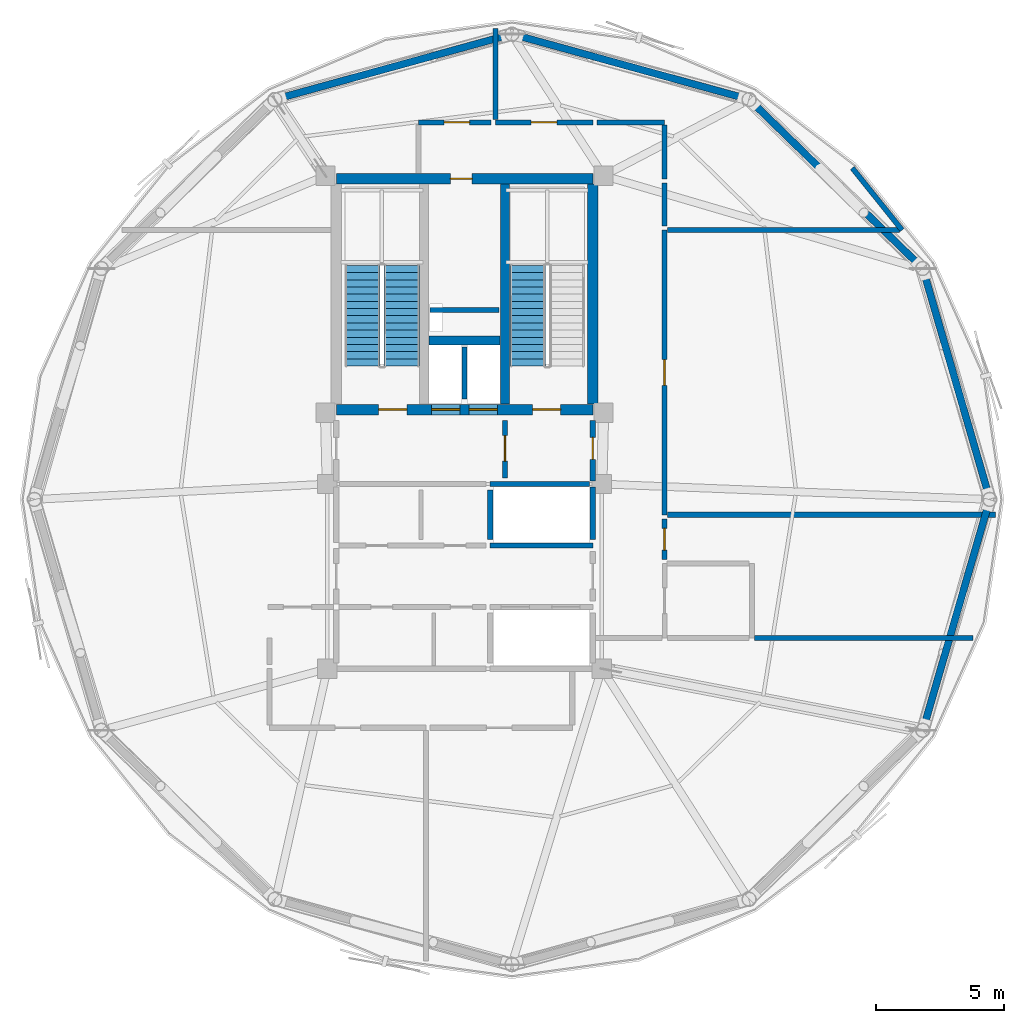
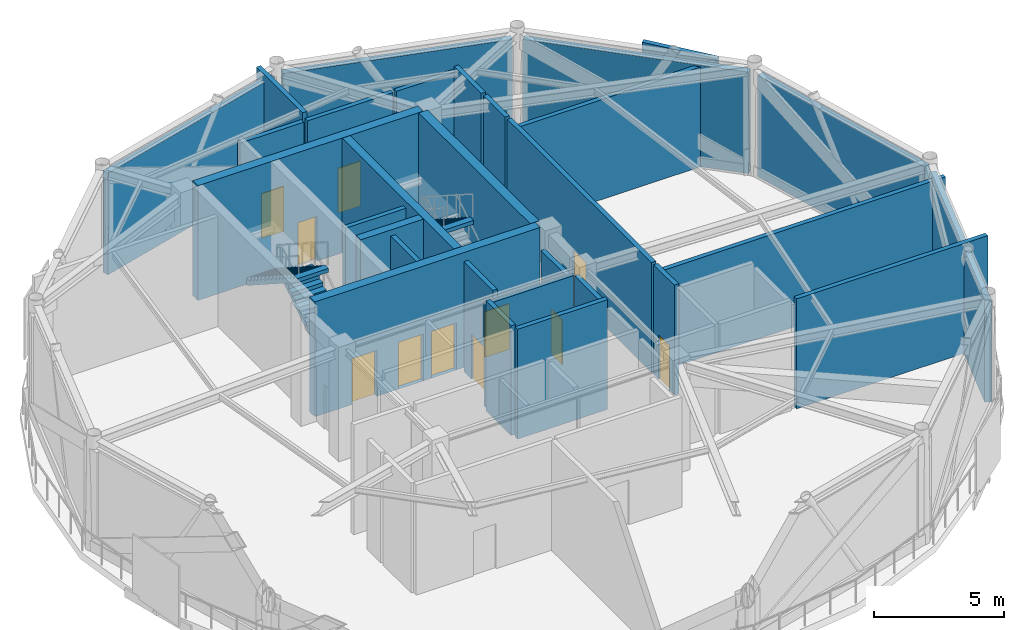
# One storey, part 4 of 10: 30 walls, 11 doors, 3 stair flights, 11 openings, 2 elements without a shape of their own.
"""IFC4 building model written with IfcOpenShell, lengths in metres."""

from ifc_helpers import new_model, si_unit, direction, frame, frame_2d, origin, place, context, subcontext, project, spatial, polyline, rectangle, outline, extrude, material, layer, layer_set, type_object, element, fill, aggregate, save


model = new_model("IFC4")

# Units and contexts
model_context = context("Model", 3, precision=1e-05, world=origin(), true_north=direction((0.0, 1.0)))
body_context = subcontext(model_context, "Body", "Model", "MODEL_VIEW")
ifc_project = project(units=[si_unit("LENGTHUNIT", "METRE"), si_unit("AREAUNIT", "SQUARE_METRE"), si_unit("VOLUMEUNIT", "CUBIC_METRE"), si_unit("PLANEANGLEUNIT", "RADIAN"), si_unit("MASSUNIT", "GRAM", prefix="KILO")], contexts=[model_context])

# Site, building, storey
site_placement = place(None, origin())
site = spatial("IfcSite", under=ifc_project, at=site_placement, CompositionType="ELEMENT")
building_placement = place(site_placement, origin())
building = spatial("IfcBuilding", under=site, at=building_placement, Name="Varnakorn Sky Granary", CompositionType="ELEMENT")
storey_placement = place(building_placement, frame((0.0, 0.0, 240.0)))
storey = spatial("IfcBuildingStorey", under=building, at=storey_placement, Name="L61", CompositionType="ELEMENT", Elevation=240.0)

# Walls
ifc_material_1 = material(Name="Concrete C50/60", Category="concrete")
ifc_layer_1 = layer(ifc_material_1, 0.35009765625, Name="Concrete C50/60")
ifc_layer_set_1 = layer_set([ifc_layer_1], Name="Concrete C50/60")
wall_type_1 = type_object("IfcWallType", Name="WT-CW-INT-350", PredefinedType="SHEAR", material=ifc_layer_set_1)
wall_1_placement = place(storey_placement, frame((4.580078125, 3.7099609375, 0.0), z_axis=(0.0, 0.0, 1.0), x_axis=(0.0, 1.0, 0.0)))
element("IfcWall", 1, at=wall_1_placement, inside=storey, type_object=wall_type_1, Name="Stair ST-2 Core Wall L61", PredefinedType="SHEAR", context=body_context, shape_type="SweptSolid", body=[
    extrude(rectangle(XDim=8.580078125, YDim=0.35009765625, at=frame_2d((4.2900390625, 0.0))), origin(), (0.0, 0.0, 1.0), 5.39208984375),
])
wall_2_placement = place(storey_placement, frame((1.610107421875, 6.199951171875, 0.0), z_axis=(0.0, 0.0, 1.0), x_axis=(1.0, 0.0, 0.0)))
element("IfcWall", 2, at=wall_2_placement, inside=storey, type_object=wall_type_1, Name="Core Lift Shaft Cross Wall L61", PredefinedType="SHEAR", context=body_context, shape_type="SweptSolid", body=[
    extrude(rectangle(XDim=2.77978515625, YDim=0.35009765625, at=frame_2d((1.389892578125, 0.0))), origin(), (0.0, 0.0, 1.0), 5.39208984375),
])

# Wall, openings, doors
ifc_layer_2 = layer(ifc_material_1, 0.39990234375, Name="Concrete C50/60")
ifc_layer_set_2 = layer_set([ifc_layer_2], Name="Concrete C50/60")
wall_type_2 = type_object("IfcWallType", Name="WT-CW-SHEAR-400", PredefinedType="SHEAR", material=ifc_layer_set_2)
wall_3_placement = place(storey_placement, frame((-2.0, 3.5, 0.0), z_axis=(0.0, 0.0, 1.0), x_axis=(1.0, 0.0, 0.0)))
wall_3 = element("IfcWall", 3, at=wall_3_placement, inside=storey, type_object=wall_type_2, Name="Core South Shear Wall L61", PredefinedType="SHEAR", context=body_context, shape_type="SweptSolid", body=[
    extrude(rectangle(XDim=10.0, YDim=0.39990234375, at=frame_2d((5.0, 0.0))), origin(), (0.0, 0.0, 1.0), 5.39208984375),
])
opening_1_placement = place(wall_3_placement, frame((1.64990234375, 0.0, 0.0)))
opening_1 = element("IfcOpeningElement", 4, at=opening_1_placement, cuts=wall_3, Name="Opening FD-90", PredefinedType="OPENING", context=body_context, shape_type="SweptSolid", body=[
    extrude(rectangle(XDim=1.10009765625, YDim=2.14990234375, at=frame_2d((0.550048828125, 1.074951171875))), frame((0.0, 0.2099609375, 0.0), z_axis=(0.0, -1.0, 0.0), x_axis=(1.0, 0.0, 0.0)), (0.0, 0.0, 1.0), 0.419921875),
])
opening_2_placement = place(wall_3_placement, frame((7.64990234375, 0.0, 0.0)))
opening_2 = element("IfcOpeningElement", 5, at=opening_2_placement, cuts=wall_3, Name="Opening FD-90", PredefinedType="OPENING", context=body_context, shape_type="SweptSolid", body=[
    extrude(rectangle(XDim=1.10009765625, YDim=2.14990234375, at=frame_2d((0.550048828125, 1.074951171875))), frame((0.0, 0.2099609375, 0.0), z_axis=(0.0, -1.0, 0.0), x_axis=(1.0, 0.0, 0.0)), (0.0, 0.0, 1.0), 0.419921875),
])
opening_3_placement = place(wall_3_placement, frame((3.719970703125, 0.0, 0.0)))
opening_3 = element("IfcOpeningElement", 6, at=opening_3_placement, cuts=wall_3, Name="Opening LD-01", PredefinedType="OPENING", context=body_context, shape_type="SweptSolid", body=[
    extrude(rectangle(XDim=1.10009765625, YDim=2.199951171875, at=frame_2d((0.550048828125, 1.10009765625))), frame((0.0, 0.2099609375, 0.0), z_axis=(0.0, -1.0, 0.0), x_axis=(1.0, 0.0, 0.0)), (0.0, 0.0, 1.0), 0.419921875),
])
opening_4_placement = place(wall_3_placement, frame((5.179931640625, 0.0, 0.0)))
opening_4 = element("IfcOpeningElement", 7, at=opening_4_placement, cuts=wall_3, Name="Opening LD-01", PredefinedType="OPENING", context=body_context, shape_type="SweptSolid", body=[
    extrude(rectangle(XDim=1.10009765625, YDim=2.199951171875, at=frame_2d((0.550048828125, 1.10009765625))), frame((0.0, 0.2099609375, 0.0), z_axis=(0.0, -1.0, 0.0), x_axis=(1.0, 0.0, 0.0)), (0.0, 0.0, 1.0), 0.419921875),
])
ifc_material_2 = material(Name="Brushed Bronze Stainless Steel", Category="steel")
door_type_1 = type_object("IfcDoorType", Name="DR-LD-1100", OperationType="DOUBLE_DOOR_SLIDING", PredefinedType="DOOR", material=ifc_material_2)
door_1_placement = place(opening_3_placement, origin())
door_1 = element("IfcDoor", 8, at=door_1_placement, inside=storey, type_object=door_type_1, Name="Firefighting Lift FFL-1 Landing Door L61", OperationType="DOUBLE_DOOR_SLIDING", OverallHeight=2.199951171875, OverallWidth=1.10009765625, PredefinedType="DOOR", context=body_context, shape_type="SweptSolid", body=[
    extrude(rectangle(XDim=1.10009765625, YDim=2.199951171875, at=frame_2d((0.550048828125, 1.10009765625))), frame((0.0, 0.02490234375, 0.0), z_axis=(0.0, -1.0, 0.0), x_axis=(1.0, 0.0, 0.0)), (0.0, 0.0, 1.0), 0.050048828125),
])
fill(opening_3, door_1)
door_2_placement = place(opening_4_placement, origin())
door_2 = element("IfcDoor", 9, at=door_2_placement, inside=storey, type_object=door_type_1, Name="Firefighting Lift FFL-2 Landing Door L61", OperationType="DOUBLE_DOOR_SLIDING", OverallHeight=2.199951171875, OverallWidth=1.10009765625, PredefinedType="DOOR", context=body_context, shape_type="SweptSolid", body=[
    extrude(rectangle(XDim=1.10009765625, YDim=2.199951171875, at=frame_2d((0.550048828125, 1.10009765625))), frame((0.0, 0.02490234375, 0.0), z_axis=(0.0, -1.0, 0.0), x_axis=(1.0, 0.0, 0.0)), (0.0, 0.0, 1.0), 0.050048828125),
])
fill(opening_4, door_2)
ifc_material_3 = material(Name="Galvanised Painted Steel Leaf", Category="steel")
door_type_2 = type_object("IfcDoorType", Name="DR-STAIR-1100", OperationType="NOTDEFINED", PredefinedType="DOOR", material=ifc_material_3)
door_3_placement = place(opening_1_placement, origin())
door_3 = element("IfcDoor", 10, at=door_3_placement, inside=storey, type_object=door_type_2, Name="Stair ST-1 Protected Fire Door L61", OperationType="SINGLE_SWING_LEFT", OverallHeight=2.14990234375, OverallWidth=1.10009765625, PredefinedType="DOOR", context=body_context, shape_type="SweptSolid", body=[
    extrude(rectangle(XDim=1.10009765625, YDim=2.14990234375, at=frame_2d((0.550048828125, 1.074951171875))), frame((0.0, 0.02490234375, 0.0), z_axis=(0.0, -1.0, 0.0), x_axis=(1.0, 0.0, 0.0)), (0.0, 0.0, 1.0), 0.050048828125),
])
fill(opening_1, door_3)
door_4_placement = place(opening_2_placement, origin())
door_4 = element("IfcDoor", 11, at=door_4_placement, inside=storey, type_object=door_type_2, Name="Stair ST-2 Protected Fire Door L61", OperationType="SINGLE_SWING_RIGHT", OverallHeight=2.14990234375, OverallWidth=1.10009765625, PredefinedType="DOOR", context=body_context, shape_type="SweptSolid", body=[
    extrude(rectangle(XDim=1.10009765625, YDim=2.14990234375, at=frame_2d((0.550048828125, 1.074951171875))), frame((0.0, 0.02490234375, 0.0), z_axis=(0.0, -1.0, 0.0), x_axis=(1.0, 0.0, 0.0)), (0.0, 0.0, 1.0), 0.050048828125),
])
fill(opening_2, door_4)

# Wall, opening, door
wall_4_placement = place(storey_placement, frame((-2.0, 12.5, 0.0), z_axis=(0.0, 0.0, 1.0), x_axis=(1.0, 0.0, 0.0)))
wall_4 = element("IfcWall", 12, at=wall_4_placement, inside=storey, type_object=wall_type_2, Name="Core North Shear Wall L61", PredefinedType="SHEAR", context=body_context, shape_type="SweptSolid", body=[
    extrude(rectangle(XDim=10.0, YDim=0.39990234375, at=frame_2d((5.0, 0.0))), origin(), (0.0, 0.0, 1.0), 5.39208984375),
])
opening_5_placement = place(wall_4_placement, frame((4.449951171875, 0.0, 0.0)))
opening_5 = element("IfcOpeningElement", 13, at=opening_5_placement, cuts=wall_4, Name="Opening FD-60N", PredefinedType="OPENING", context=body_context, shape_type="SweptSolid", body=[
    extrude(rectangle(XDim=0.85009765625, YDim=2.10009765625, at=frame_2d((0.425048828125, 1.050048828125))), frame((0.0, 0.2099609375, 0.0), z_axis=(0.0, -1.0, 0.0), x_axis=(1.0, 0.0, 0.0)), (0.0, 0.0, 1.0), 0.419921875),
])
ifc_material_4 = material(Name="Acoustic Timber Fire Leaf", Category="wood")
door_type_3 = type_object("IfcDoorType", Name="DR-FD60-850", OperationType="NOTDEFINED", PredefinedType="DOOR", material=ifc_material_4)
door_5_placement = place(opening_5_placement, origin())
door_5 = element("IfcDoor", 14, at=door_5_placement, inside=storey, type_object=door_type_3, Name="Core North Service Door L61", OperationType="SINGLE_SWING_LEFT", OverallHeight=2.10009765625, OverallWidth=0.85009765625, PredefinedType="DOOR", context=body_context, shape_type="SweptSolid", body=[
    extrude(rectangle(XDim=0.85009765625, YDim=2.10009765625, at=frame_2d((0.425048828125, 1.050048828125))), frame((0.0, 0.02490234375, 0.0), z_axis=(0.0, -1.0, 0.0), x_axis=(1.0, 0.0, 0.0)), (0.0, 0.0, 1.0), 0.050048828125),
])
fill(opening_5, door_5)

# Walls
wall_5_placement = place(storey_placement, frame((8.0, 3.7099609375, 0.0), z_axis=(0.0, 0.0, 1.0), x_axis=(0.0, 1.0, 0.0)))
element("IfcWall", 15, at=wall_5_placement, inside=storey, type_object=wall_type_2, Name="Core East Shear Wall L61", PredefinedType="SHEAR", context=body_context, shape_type="SweptSolid", body=[
    extrude(rectangle(XDim=8.580078125, YDim=0.39990234375, at=frame_2d((4.2900390625, 0.0))), origin(), (0.0, 0.0, 1.0), 5.39208984375),
])
ifc_material_5 = material(Name="Precast concrete C40/50", Category="concrete")
ifc_layer_3 = layer(ifc_material_5, 0.280029296875, Name="Precast concrete C40/50")
ifc_layer_set_3 = layer_set([ifc_layer_3], Name="Precast concrete C40/50")
wall_type_3 = type_object("IfcWallType", Name="WT-EW-CRN-280", PredefinedType="SOLIDWALL", material=ifc_layer_set_3)
wall_6_placement = place(storey_placement, frame((20.933349609375, 8.77734375, 0.0), z_axis=(0.0, 0.0, 1.0), x_axis=(0.278734340677, -0.960368245689, 0.0)))
element("IfcWall", 16, at=wall_6_placement, inside=storey, type_object=wall_type_3, Name="Agritech Insulated Precast Facade Wall L61-P01", PredefinedType="SOLIDWALL", context=body_context, shape_type="SweptSolid", body=[
    extrude(rectangle(XDim=8.9052734375, YDim=0.280029296875, at=frame_2d((4.45263671875, 0.0))), origin(), (0.0, 0.0, 1.0), 4.77001953125),
])
wall_7_placement = place(storey_placement, frame((14.26611328125, 15.42919921875, 0.0), z_axis=(0.0, 0.0, 1.0), x_axis=(0.716545930731, -0.697539912229, 0.0)))
element("IfcWall", 17, at=wall_7_placement, inside=storey, type_object=wall_type_3, Name="Agritech Insulated Precast Facade Wall L61-P02", PredefinedType="SOLIDWALL", context=body_context, shape_type="SweptSolid", body=[
    extrude(rectangle(XDim=8.97900390625, YDim=0.280029296875, at=frame_2d((4.489501953125, 0.0))), origin(), (0.0, 0.0, 1.0), 4.77001953125),
])
for number, where, z_axis, x_axis, name in (
    (18, (5.076171875, 18.07763671875, 0.0), (0.0, 0.0, 1.0), (0.96409875517, -0.26554395169, 0.0), "Agritech Insulated Precast Facade Wall L61-P03"),
    (19, (-4.171875, 15.655029296875, 0.0), (0.0, 0.0, 1.0), (0.96409875517, 0.26554395169, 0.0), "Agritech Insulated Precast Facade Wall L61-P04"),
):
    element("IfcWall", number, at=place(storey_placement, frame(where, z_axis=z_axis, x_axis=x_axis)), inside=storey, type_object=wall_type_3, Name=name, PredefinedType="SOLIDWALL", context=body_context, shape_type="SweptSolid", body=[
        extrude(rectangle(XDim=9.123291015625, YDim=0.280029296875, at=frame_2d((4.5615234375, 0.0))), origin(), (0.0, 0.0, 1.0), 4.77001953125),
    ])
wall_8_placement = place(storey_placement, frame((23.41552734375, -0.22509765625, 0.0), z_axis=(0.0, 0.0, 1.0), x_axis=(-0.278734340677, -0.960368245689, 0.0)))
element("IfcWall", 20, at=wall_8_placement, inside=storey, type_object=wall_type_3, Name="Agritech Insulated Precast Facade Wall L61-P12", PredefinedType="SOLIDWALL", context=body_context, shape_type="SweptSolid", body=[
    extrude(rectangle(XDim=8.9052734375, YDim=0.280029296875, at=frame_2d((4.45263671875, 0.0))), origin(), (0.0, 0.0, 1.0), 4.77001953125),
])

# Wall, opening, door
ifc_material_6 = material(Name="Autoclaved Aerated Concrete Blockwork", Category="masonry")
ifc_layer_4 = layer(ifc_material_6, 0.199951171875, Name="Autoclaved Aerated Concrete Blockwork")
ifc_layer_set_4 = layer_set([ifc_layer_4], Name="Autoclaved Aerated Concrete Blockwork")
wall_type_4 = type_object("IfcWallType", Name="WT-FIRE-200", PredefinedType="MOVABLE", material=ifc_layer_set_4)
wall_9_placement = place(storey_placement, frame((4.580078125, 0.830078125, 0.0), z_axis=(0.0, 0.0, 1.0), x_axis=(0.0, 1.0, 0.0)))
wall_9 = element("IfcWall", 21, at=wall_9_placement, inside=storey, type_object=wall_type_4, Name="Interior Partition Wall L61-011", PredefinedType="MOVABLE", context=body_context, shape_type="SweptSolid", body=[
    extrude(rectangle(XDim=2.239990234375, YDim=0.199951171875, at=frame_2d((1.1201171875, 0.0))), origin(), (0.0, 0.0, 1.0), 5.159912109375),
])
opening_6_placement = place(wall_9_placement, frame((0.659912109375, 0.0, 0.0)))
opening_6 = element("IfcOpeningElement", 22, at=opening_6_placement, cuts=wall_9, Name="Opening FD-60", PredefinedType="OPENING", context=body_context, shape_type="SweptSolid", body=[
    extrude(rectangle(XDim=1.0, YDim=2.10009765625, at=frame_2d((0.5, 1.050048828125))), frame((0.0, 0.10986328125, 0.0), z_axis=(0.0, -1.0, 0.0), x_axis=(1.0, 0.0, 0.0)), (0.0, 0.0, 1.0), 0.219970703125),
])
door_type_4 = type_object("IfcDoorType", Name="DR-FD60-1000", OperationType="NOTDEFINED", PredefinedType="DOOR", material=ifc_material_4)
door_6_placement = place(opening_6_placement, origin())
door_6 = element("IfcDoor", 23, at=door_6_placement, inside=storey, type_object=door_type_4, Name="Interior Door L61-011-1", OperationType="SINGLE_SWING_LEFT", OverallHeight=2.10009765625, OverallWidth=1.0, PredefinedType="DOOR", context=body_context, shape_type="SweptSolid", body=[
    extrude(rectangle(XDim=1.0, YDim=2.10009765625, at=frame_2d((0.5, 1.050048828125))), frame((0.0, 0.02490234375, 0.0), z_axis=(0.0, -1.0, 0.0), x_axis=(1.0, 0.0, 0.0)), (0.0, 0.0, 1.0), 0.050048828125),
])
fill(opening_6, door_6)

wall_10_placement = place(storey_placement, frame((8.0, 0.719970703125, 0.0), z_axis=(0.0, 0.0, 1.0), x_axis=(0.0, 1.0, 0.0)))
wall_10 = element("IfcWall", 24, at=wall_10_placement, inside=storey, type_object=wall_type_4, Name="Interior Partition Wall L61-013", PredefinedType="MOVABLE", context=body_context, shape_type="SweptSolid", body=[
    extrude(rectangle(XDim=2.35009765625, YDim=0.199951171875, at=frame_2d((1.175048828125, 0.0))), origin(), (0.0, 0.0, 1.0), 4.491943359375),
])
opening_7_placement = place(wall_10_placement, frame((0.844970703125, 0.0, 0.0)))
opening_7 = element("IfcOpeningElement", 25, at=opening_7_placement, cuts=wall_10, Name="Opening FD-60N", PredefinedType="OPENING", context=body_context, shape_type="SweptSolid", body=[
    extrude(rectangle(XDim=0.85009765625, YDim=2.10009765625, at=frame_2d((0.425048828125, 1.050048828125))), frame((0.0, 0.10986328125, 0.0), z_axis=(0.0, -1.0, 0.0), x_axis=(1.0, 0.0, 0.0)), (0.0, 0.0, 1.0), 0.219970703125),
])
door_7_placement = place(opening_7_placement, origin())
door_7 = element("IfcDoor", 26, at=door_7_placement, inside=storey, type_object=door_type_3, Name="Interior Door L61-013-1", OperationType="SINGLE_SWING_LEFT", OverallHeight=2.10009765625, OverallWidth=0.85009765625, PredefinedType="DOOR", context=body_context, shape_type="SweptSolid", body=[
    extrude(rectangle(XDim=0.85009765625, YDim=2.10009765625, at=frame_2d((0.425048828125, 1.050048828125))), frame((0.0, 0.02490234375, 0.0), z_axis=(0.0, -1.0, 0.0), x_axis=(1.0, 0.0, 0.0)), (0.0, 0.0, 1.0), 0.050048828125),
])
fill(opening_7, door_7)

wall_11_placement = place(storey_placement, frame((8.0, 14.699951171875, 0.0), z_axis=(0.0, 0.0, 1.0), x_axis=(-1.0, 0.0, 0.0)))
wall_11 = element("IfcWall", 27, at=wall_11_placement, inside=storey, type_object=wall_type_4, Name="Interior Partition Wall L61-020", PredefinedType="MOVABLE", context=body_context, shape_type="SweptSolid", body=[
    extrude(rectangle(XDim=3.800048828125, YDim=0.199951171875, at=frame_2d((1.89990234375, 0.0))), origin(), (0.0, 0.0, 1.0), 4.8720703125),
])
opening_8_placement = place(wall_11_placement, frame((1.39990234375, 0.0, 0.0)))
opening_8 = element("IfcOpeningElement", 28, at=opening_8_placement, cuts=wall_11, Name="Opening FD-60", PredefinedType="OPENING", context=body_context, shape_type="SweptSolid", body=[
    extrude(rectangle(XDim=1.0, YDim=2.10009765625, at=frame_2d((0.5, 1.050048828125))), frame((0.0, 0.10986328125, 0.0), z_axis=(0.0, -1.0, 0.0), x_axis=(1.0, 0.0, 0.0)), (0.0, 0.0, 1.0), 0.219970703125),
])
door_8_placement = place(opening_8_placement, origin())
door_8 = element("IfcDoor", 29, at=door_8_placement, inside=storey, type_object=door_type_4, Name="Interior Door L61-020-1", OperationType="SINGLE_SWING_RIGHT", OverallHeight=2.10009765625, OverallWidth=1.0, PredefinedType="DOOR", context=body_context, shape_type="SweptSolid", body=[
    extrude(rectangle(XDim=1.0, YDim=2.10009765625, at=frame_2d((0.5, 1.050048828125))), frame((0.0, 0.02490234375, 0.0), z_axis=(0.0, -1.0, 0.0), x_axis=(1.0, 0.0, 0.0)), (0.0, 0.0, 1.0), 0.050048828125),
])
fill(opening_8, door_8)

wall_12_placement = place(storey_placement, frame((4.0400390625, 14.699951171875, 0.0), z_axis=(0.0, 0.0, 1.0), x_axis=(-1.0, 0.0, 0.0)))
wall_12 = element("IfcWall", 30, at=wall_12_placement, inside=storey, type_object=wall_type_4, Name="Interior Partition Wall L61-021", PredefinedType="MOVABLE", context=body_context, shape_type="SweptSolid", body=[
    extrude(rectangle(XDim=2.840087890625, YDim=0.199951171875, at=frame_2d((1.419921875, 0.0))), origin(), (0.0, 0.0, 1.0), 4.8720703125),
])
opening_9_placement = place(wall_12_placement, frame((0.840087890625, 0.0, 0.0)))
opening_9 = element("IfcOpeningElement", 31, at=opening_9_placement, cuts=wall_12, Name="Opening FD-60", PredefinedType="OPENING", context=body_context, shape_type="SweptSolid", body=[
    extrude(rectangle(XDim=1.0, YDim=2.10009765625, at=frame_2d((0.5, 1.050048828125))), frame((0.0, 0.10986328125, 0.0), z_axis=(0.0, -1.0, 0.0), x_axis=(1.0, 0.0, 0.0)), (0.0, 0.0, 1.0), 0.219970703125),
])
door_9_placement = place(opening_9_placement, origin())
door_9 = element("IfcDoor", 32, at=door_9_placement, inside=storey, type_object=door_type_4, Name="Interior Door L61-021-1", OperationType="SINGLE_SWING_LEFT", OverallHeight=2.10009765625, OverallWidth=1.0, PredefinedType="DOOR", context=body_context, shape_type="SweptSolid", body=[
    extrude(rectangle(XDim=1.0, YDim=2.10009765625, at=frame_2d((0.5, 1.050048828125))), frame((0.0, 0.02490234375, 0.0), z_axis=(0.0, -1.0, 0.0), x_axis=(1.0, 0.0, 0.0)), (0.0, 0.0, 1.0), 0.050048828125),
])
fill(opening_9, door_9)

wall_13_placement = place(storey_placement, frame((10.800048828125, -0.60009765625, 0.0), z_axis=(0.0, 0.0, 1.0), x_axis=(0.0, 1.0, 0.0)))
wall_13 = element("IfcWall", 33, at=wall_13_placement, inside=storey, type_object=wall_type_4, Name="Interior Partition Wall L61-022", PredefinedType="MOVABLE", context=body_context, shape_type="SweptSolid", body=[
    extrude(rectangle(XDim=11.10009765625, YDim=0.199951171875, at=frame_2d((5.550048828125, 0.0))), origin(), (0.0, 0.0, 1.0), 5.159912109375),
])
opening_10_placement = place(wall_13_placement, frame((5.050048828125, 0.0, 0.0)))
opening_10 = element("IfcOpeningElement", 34, at=opening_10_placement, cuts=wall_13, Name="Opening FD-60", PredefinedType="OPENING", context=body_context, shape_type="SweptSolid", body=[
    extrude(rectangle(XDim=1.0, YDim=2.10009765625, at=frame_2d((0.5, 1.050048828125))), frame((0.0, 0.10986328125, 0.0), z_axis=(0.0, -1.0, 0.0), x_axis=(1.0, 0.0, 0.0)), (0.0, 0.0, 1.0), 0.219970703125),
])
door_10_placement = place(opening_10_placement, origin())
door_10 = element("IfcDoor", 35, at=door_10_placement, inside=storey, type_object=door_type_4, Name="Interior Door L61-022-1", OperationType="SINGLE_SWING_RIGHT", OverallHeight=2.10009765625, OverallWidth=1.0, PredefinedType="DOOR", context=body_context, shape_type="SweptSolid", body=[
    extrude(rectangle(XDim=1.0, YDim=2.10009765625, at=frame_2d((0.5, 1.050048828125))), frame((0.0, 0.02490234375, 0.0), z_axis=(0.0, -1.0, 0.0), x_axis=(1.0, 0.0, 0.0)), (0.0, 0.0, 1.0), 0.050048828125),
])
fill(opening_10, door_10)

wall_14_placement = place(storey_placement, frame((10.800048828125, -2.35009765625, 0.0), z_axis=(0.0, 0.0, 1.0), x_axis=(0.0, 1.0, 0.0)))
wall_14 = element("IfcWall", 36, at=wall_14_placement, inside=storey, type_object=wall_type_4, Name="Interior Partition Wall L61-023", PredefinedType="MOVABLE", context=body_context, shape_type="SweptSolid", body=[
    extrude(rectangle(XDim=1.590087890625, YDim=0.199951171875, at=frame_2d((0.794921875, 0.0))), origin(), (0.0, 0.0, 1.0), 5.159912109375),
])
opening_11_placement = place(wall_14_placement, frame((0.375, 0.0, 0.0)))
opening_11 = element("IfcOpeningElement", 37, at=opening_11_placement, cuts=wall_14, Name="Opening FD-60N", PredefinedType="OPENING", context=body_context, shape_type="SweptSolid", body=[
    extrude(rectangle(XDim=0.85009765625, YDim=2.10009765625, at=frame_2d((0.425048828125, 1.050048828125))), frame((0.0, 0.10986328125, 0.0), z_axis=(0.0, -1.0, 0.0), x_axis=(1.0, 0.0, 0.0)), (0.0, 0.0, 1.0), 0.219970703125),
])
door_11_placement = place(opening_11_placement, origin())
door_11 = element("IfcDoor", 38, at=door_11_placement, inside=storey, type_object=door_type_3, Name="Interior Door L61-023-1", OperationType="SINGLE_SWING_LEFT", OverallHeight=2.10009765625, OverallWidth=0.85009765625, PredefinedType="DOOR", context=body_context, shape_type="SweptSolid", body=[
    extrude(rectangle(XDim=0.85009765625, YDim=2.10009765625, at=frame_2d((0.425048828125, 1.050048828125))), frame((0.0, 0.02490234375, 0.0), z_axis=(0.0, -1.0, 0.0), x_axis=(1.0, 0.0, 0.0)), (0.0, 0.0, 1.0), 0.050048828125),
])
fill(opening_11, door_11)

# Walls
wall_15_placement = place(storey_placement, frame((10.800048828125, 14.699951171875, 0.0), z_axis=(0.0, 0.0, 1.0), x_axis=(-1.0, 0.0, 0.0)))
element("IfcWall", 39, at=wall_15_placement, inside=storey, type_object=wall_type_4, Name="Interior Partition Wall L61-032", PredefinedType="MOVABLE", context=body_context, shape_type="SweptSolid", body=[
    extrude(rectangle(XDim=2.64013671875, YDim=0.199951171875, at=frame_2d((1.320068359375, 0.0))), origin(), (0.0, 0.0, 1.0), 4.8720703125),
])
wall_16_placement = place(storey_placement, frame((10.800048828125, 12.5, 0.0), z_axis=(0.0, 0.0, 1.0), x_axis=(0.0, 1.0, 0.0)))
element("IfcWall", 40, at=wall_16_placement, inside=storey, type_object=wall_type_4, Name="Interior Partition Wall L61-033", PredefinedType="MOVABLE", context=body_context, shape_type="SweptSolid", body=[
    extrude(rectangle(XDim=2.090087890625, YDim=0.199951171875, at=frame_2d((1.044921875, 0.0))), origin(), (0.0, 0.0, 1.0), 5.159912109375),
])
wall_17_placement = place(storey_placement, frame((10.800048828125, 10.659912109375, 0.0), z_axis=(0.0, 0.0, 1.0), x_axis=(0.0, 1.0, 0.0)))
element("IfcWall", 41, at=wall_17_placement, inside=storey, type_object=wall_type_4, Name="Interior Partition Wall L61-034", PredefinedType="MOVABLE", context=body_context, shape_type="SweptSolid", body=[
    extrude(rectangle(XDim=1.68017578125, YDim=0.199951171875, at=frame_2d((0.840087890625, 0.0))), origin(), (0.0, 0.0, 1.0), 5.159912109375),
])
wall_18_placement = place(storey_placement, frame((4.199951171875, 14.81005859375, 0.0), z_axis=(0.0, 0.0, 1.0), x_axis=(0.0, 1.0, 0.0)))
element("IfcWall", 42, at=wall_18_placement, inside=storey, type_object=wall_type_4, Name="Interior Partition Wall L61-044", PredefinedType="MOVABLE", context=body_context, shape_type="SweptSolid", body=[
    extrude(rectangle(XDim=3.551025390625, YDim=0.199951171875, at=frame_2d((1.775390625, 0.0))), origin(), (0.0, 0.0, 1.0), 5.159912109375),
])
wall_19_placement = place(storey_placement, frame((18.115966796875, 12.9189453125, 0.0), z_axis=(0.0, 0.0, 1.0), x_axis=(0.626066551514, -0.779769628208, 0.0)))
element("IfcWall", 43, at=wall_19_placement, inside=storey, type_object=wall_type_4, Name="Interior Partition Wall L61-045", PredefinedType="MOVABLE", context=body_context, shape_type="SweptSolid", body=[
    extrude(rectangle(XDim=3.10205078125, YDim=0.199951171875, at=frame_2d((1.551025390625, 0.0))), origin(), (0.0, 0.0, 1.0), 4.781982421875),
])
wall_20_placement = place(storey_placement, frame((19.947998046875, 10.5, 0.0), z_axis=(0.0, 0.0, 1.0), x_axis=(-1.0, 0.0, 0.0)))
element("IfcWall", 44, at=wall_20_placement, inside=storey, type_object=wall_type_4, Name="Interior Partition Wall L61-046", PredefinedType="MOVABLE", context=body_context, shape_type="SweptSolid", body=[
    extrude(rectangle(XDim=9.0380859375, YDim=0.199951171875, at=frame_2d((4.51904296875, 0.0))), origin(), (0.0, 0.0, 1.0), 4.69189453125),
])
wall_21_placement = place(storey_placement, frame((23.7041015625, -0.60009765625, 0.0), z_axis=(0.0, 0.0, 1.0), x_axis=(-1.0, 0.0, 0.0)))
element("IfcWall", 45, at=wall_21_placement, inside=storey, type_object=wall_type_4, Name="Interior Partition Wall L61-047", PredefinedType="MOVABLE", context=body_context, shape_type="SweptSolid", body=[
    extrude(rectangle(XDim=12.794189453125, YDim=0.199951171875, at=frame_2d((6.39697265625, 0.0))), origin(), (0.0, 0.0, 1.0), 4.69189453125),
])
wall_22_placement = place(storey_placement, frame((22.81689453125, -5.39990234375, 0.0), z_axis=(0.0, 0.0, 1.0), x_axis=(-1.0, 0.0, 0.0)))
element("IfcWall", 46, at=wall_22_placement, inside=storey, type_object=wall_type_4, Name="Interior Partition Wall L61-048", PredefinedType="MOVABLE", context=body_context, shape_type="SweptSolid", body=[
    extrude(rectangle(XDim=8.5068359375, YDim=0.199951171875, at=frame_2d((4.25341796875, 0.0))), origin(), (0.0, 0.0, 1.0), 5.159912109375),
])
ifc_layer_5 = layer(ifc_material_6, 0.199951171875, Name="Autoclaved Aerated Concrete Blockwork")
ifc_layer_set_5 = layer_set([ifc_layer_5], Name="Autoclaved Aerated Concrete Blockwork")
wall_type_5 = type_object("IfcWallType", Name="WT-SHAFT-200", PredefinedType="SOLIDWALL", material=ifc_layer_set_5)
wall_23_placement = place(storey_placement, frame((3.0, 3.919921875, 0.0), z_axis=(0.0, 0.0, 1.0), x_axis=(0.0, 1.0, 0.0)))
element("IfcWall", 47, at=wall_23_placement, inside=storey, type_object=wall_type_5, Name="Interior Partition Wall L61-001", PredefinedType="SOLIDWALL", context=body_context, shape_type="SweptSolid", body=[
    extrude(rectangle(XDim=2.030029296875, YDim=0.199951171875, at=frame_2d((1.01513671875, 0.0))), origin(), (0.0, 0.0, 1.0), 5.159912109375),
])
wall_24_placement = place(storey_placement, frame((1.64990234375, 7.3798828125, 0.0), z_axis=(0.0, 0.0, 1.0), x_axis=(1.0, 0.0, 0.0)))
element("IfcWall", 48, at=wall_24_placement, inside=storey, type_object=wall_type_5, Name="Interior Partition Wall L61-002", PredefinedType="SOLIDWALL", context=body_context, shape_type="SweptSolid", body=[
    extrude(rectangle(XDim=2.7001953125, YDim=0.199951171875, at=frame_2d((1.35009765625, 0.0))), origin(), (0.0, 0.0, 1.0), 5.159912109375),
])
wall_25_placement = place(storey_placement, frame((4.0, 0.60009765625, 0.0), z_axis=(0.0, 0.0, 1.0), x_axis=(1.0, 0.0, 0.0)))
element("IfcWall", 49, at=wall_25_placement, inside=storey, type_object=wall_type_5, Name="Interior Partition Wall L61-003", PredefinedType="SOLIDWALL", context=body_context, shape_type="SweptSolid", body=[
    extrude(rectangle(XDim=3.8798828125, YDim=0.199951171875, at=frame_2d((1.93994140625, 0.0))), origin(), (0.0, 0.0, 1.0), 4.8720703125),
])
wall_26_placement = place(storey_placement, frame((4.0, -1.800048828125, 0.0), z_axis=(0.0, 0.0, 1.0), x_axis=(1.0, 0.0, 0.0)))
element("IfcWall", 50, at=wall_26_placement, inside=storey, type_object=wall_type_5, Name="Interior Partition Wall L61-004", PredefinedType="SOLIDWALL", context=body_context, shape_type="SweptSolid", body=[
    extrude(rectangle(XDim=4.0, YDim=0.199951171875, at=frame_2d((2.0, 0.0))), origin(), (0.0, 0.0, 1.0), 5.159912109375),
])
wall_27_placement = place(storey_placement, frame((4.0, -1.570068359375, 0.0), z_axis=(0.0, 0.0, 1.0), x_axis=(0.0, 1.0, 0.0)))
element("IfcWall", 51, at=wall_27_placement, inside=storey, type_object=wall_type_5, Name="Interior Partition Wall L61-005", PredefinedType="SOLIDWALL", context=body_context, shape_type="SweptSolid", body=[
    extrude(rectangle(XDim=1.940185546875, YDim=0.199951171875, at=frame_2d((0.97021484375, 0.0))), origin(), (0.0, 0.0, 1.0), 5.159912109375),
])
wall_28_placement = place(storey_placement, frame((8.0, -1.570068359375, 0.0), z_axis=(0.0, 0.0, 1.0), x_axis=(0.0, 1.0, 0.0)))
element("IfcWall", 52, at=wall_28_placement, inside=storey, type_object=wall_type_5, Name="Interior Partition Wall L61-006", PredefinedType="SOLIDWALL", context=body_context, shape_type="SweptSolid", body=[
    extrude(rectangle(XDim=2.050048828125, YDim=0.199951171875, at=frame_2d((1.02490234375, 0.0))), origin(), (0.0, 0.0, 1.0), 4.8720703125),
])

# Stair, stair flights
ifc_material_7 = material(Name="Concrete C40/50", Category="concrete")
stair_type = type_object("IfcStairType", Name="ST-MAIN-ASSEMBLY", PredefinedType="HALF_TURN_STAIR", material=ifc_material_7)
stair_1_placement = place(storey_placement, origin())
stair_1 = element("IfcStair", 53, at=stair_1_placement, inside=storey, type_object=stair_type, Name="L61 Protected Exit Stair ST-1", PredefinedType="HALF_TURN_STAIR")
stair_flight_type = type_object("IfcStairFlightType", Name="ST-MAIN-FLIGHT", PredefinedType="STRAIGHT", material=ifc_material_7)
stair_flight_1_placement = place(storey_placement, frame((0.550048828125, 5.199951171875, 0.0), z_axis=(0.0, 0.0, 1.0), x_axis=(0.0, 1.0, 0.0)))
stair_flight_1 = element("IfcStairFlight", 54, at=stair_flight_1_placement, type_object=stair_flight_type, Name="ST-1 flight 1", NumberOfRisers=15, NumberOfTreads=14, PredefinedType="STRAIGHT", RiserHeight=0.18, TreadLength=0.28, context=body_context, shape_type="SweptSolid", body=[
    extrude(outline(polyline([(0.0, -0.14990234375), (0.0, 0.0), (0.0, 0.179931640625), (0.280029296875, 0.179931640625), (0.280029296875, 0.360107421875), (0.56005859375, 0.360107421875), (0.56005859375, 0.5400390625), (0.840087890625, 0.5400390625), (0.840087890625, 0.719970703125), (1.1201171875, 0.719970703125), (1.1201171875, 0.89990234375), (1.39990234375, 0.89990234375), (1.39990234375, 1.080078125), (1.679931640625, 1.080078125), (1.679931640625, 1.260009765625), (1.9599609375, 1.260009765625), (1.9599609375, 1.43994140625), (2.239990234375, 1.43994140625), (2.239990234375, 1.6201171875), (2.52001953125, 1.6201171875), (2.52001953125, 1.800048828125), (2.800048828125, 1.800048828125), (2.800048828125, 1.97998046875), (3.080078125, 1.97998046875), (3.080078125, 2.159912109375), (3.360107421875, 2.159912109375), (3.360107421875, 2.340087890625), (3.639892578125, 2.340087890625), (3.639892578125, 2.52001953125), (3.919921875, 2.52001953125), (3.919921875, 2.699951171875), (3.919921875, 2.341796875), (0.050048828125, -0.14990234375), (0.0, -0.14990234375)])), frame((0.0, 0.68994140625, 0.0), z_axis=(0.0, -1.0, 0.0), x_axis=(1.0, 0.0, 0.0)), (0.0, 0.0, 1.0), 1.3798828125),
])
stair_flight_2_placement = place(storey_placement, frame((-0.97998046875, 9.1201171875, 2.699951171875), z_axis=(0.0, 0.0, 1.0), x_axis=(0.0, -1.0, 0.0)))
stair_flight_2 = element("IfcStairFlight", 55, at=stair_flight_2_placement, type_object=stair_flight_type, Name="ST-1 flight 2", NumberOfRisers=15, NumberOfTreads=14, PredefinedType="STRAIGHT", RiserHeight=0.18, TreadLength=0.28, context=body_context, shape_type="SweptSolid", body=[
    extrude(outline(polyline([(0.0, -0.14990234375), (0.0, 0.0), (0.0, 0.179931640625), (0.280029296875, 0.179931640625), (0.280029296875, 0.360107421875), (0.56005859375, 0.360107421875), (0.56005859375, 0.5400390625), (0.840087890625, 0.5400390625), (0.840087890625, 0.719970703125), (1.1201171875, 0.719970703125), (1.1201171875, 0.89990234375), (1.39990234375, 0.89990234375), (1.39990234375, 1.080078125), (1.679931640625, 1.080078125), (1.679931640625, 1.260009765625), (1.9599609375, 1.260009765625), (1.9599609375, 1.43994140625), (2.239990234375, 1.43994140625), (2.239990234375, 1.6201171875), (2.52001953125, 1.6201171875), (2.52001953125, 1.800048828125), (2.800048828125, 1.800048828125), (2.800048828125, 1.97998046875), (3.080078125, 1.97998046875), (3.080078125, 2.159912109375), (3.360107421875, 2.159912109375), (3.360107421875, 2.340087890625), (3.639892578125, 2.340087890625), (3.639892578125, 2.52001953125), (3.919921875, 2.52001953125), (3.919921875, 2.699951171875), (3.919921875, 2.341796875), (0.050048828125, -0.14990234375), (0.0, -0.14990234375)])), frame((0.0, 0.68994140625, 0.0), z_axis=(0.0, -1.0, 0.0), x_axis=(1.0, 0.0, 0.0)), (0.0, 0.0, 1.0), 1.3798828125),
])
aggregate(stair_1, [stair_flight_1, stair_flight_2])

# Stair, stair flight
stair_2_placement = place(storey_placement, origin())
stair_2 = element("IfcStair", 56, at=stair_2_placement, inside=storey, type_object=stair_type, Name="L61 Protected Exit Stair ST-2", PredefinedType="HALF_TURN_STAIR")
stair_flight_3_placement = place(storey_placement, frame((5.4599609375, 9.1201171875, 2.699951171875), z_axis=(0.0, 0.0, 1.0), x_axis=(0.0, -1.0, 0.0)))
stair_flight_3 = element("IfcStairFlight", 57, at=stair_flight_3_placement, type_object=stair_flight_type, Name="ST-2 flight 2", NumberOfRisers=15, NumberOfTreads=14, PredefinedType="STRAIGHT", RiserHeight=0.18, TreadLength=0.28, context=body_context, shape_type="SweptSolid", body=[
    extrude(outline(polyline([(0.0, -0.14990234375), (0.0, 0.0), (0.0, 0.179931640625), (0.280029296875, 0.179931640625), (0.280029296875, 0.360107421875), (0.56005859375, 0.360107421875), (0.56005859375, 0.5400390625), (0.840087890625, 0.5400390625), (0.840087890625, 0.719970703125), (1.1201171875, 0.719970703125), (1.1201171875, 0.89990234375), (1.39990234375, 0.89990234375), (1.39990234375, 1.080078125), (1.679931640625, 1.080078125), (1.679931640625, 1.260009765625), (1.9599609375, 1.260009765625), (1.9599609375, 1.43994140625), (2.239990234375, 1.43994140625), (2.239990234375, 1.6201171875), (2.52001953125, 1.6201171875), (2.52001953125, 1.800048828125), (2.800048828125, 1.800048828125), (2.800048828125, 1.97998046875), (3.080078125, 1.97998046875), (3.080078125, 2.159912109375), (3.360107421875, 2.159912109375), (3.360107421875, 2.340087890625), (3.639892578125, 2.340087890625), (3.639892578125, 2.52001953125), (3.919921875, 2.52001953125), (3.919921875, 2.699951171875), (3.919921875, 2.341796875), (0.050048828125, -0.14990234375), (0.0, -0.14990234375)])), frame((0.0, 0.68994140625, 0.0), z_axis=(0.0, -1.0, 0.0), x_axis=(1.0, 0.0, 0.0)), (0.0, 0.0, 1.0), 1.3798828125),
])
aggregate(stair_2, [stair_flight_3])

save(model, "model.ifc")
